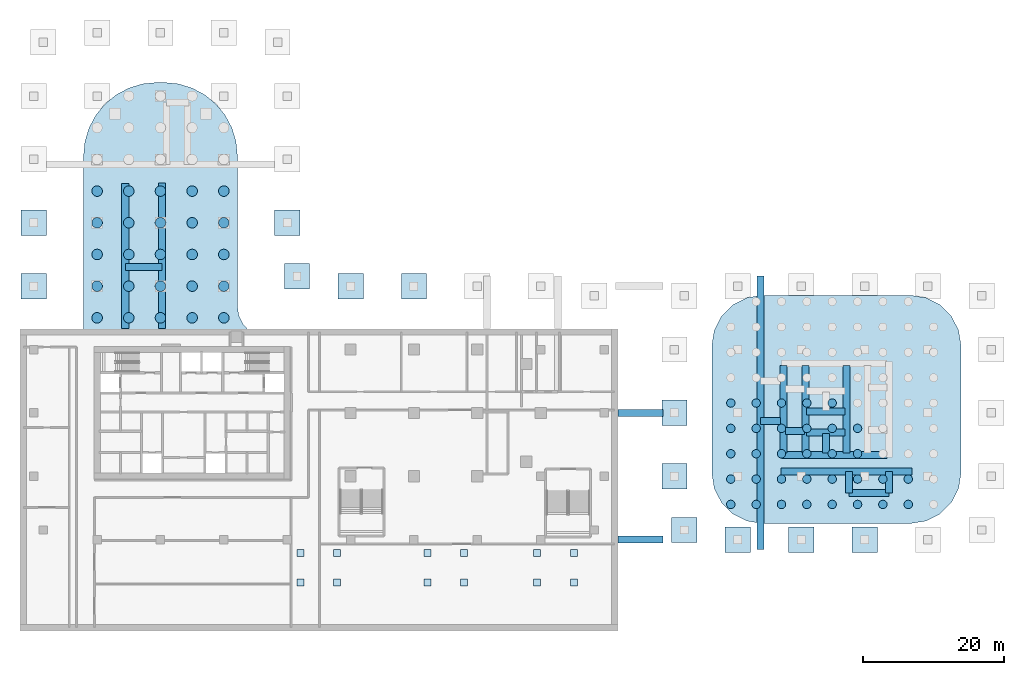
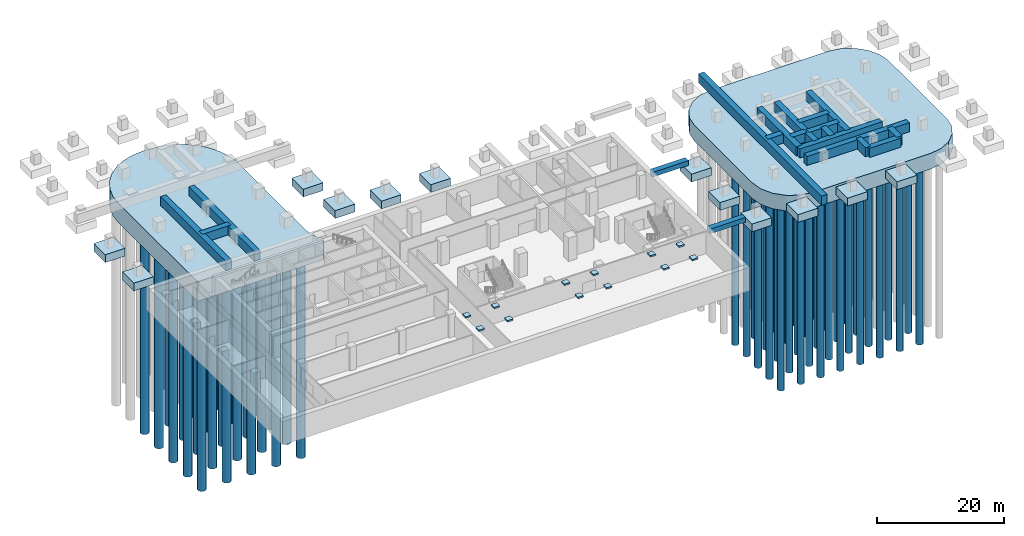
# One storey, part 1 of 14: 58 piles, 45 footings.
"""IFC4 building model written with IfcOpenShell, lengths in metres."""

from ifc_helpers import new_model, si_unit, direction, frame, origin, origin_2d, place, context, subcontext, project, spatial, polyline, circle, outline, extrude, material, material_profile, profile_set, type_object, element, save


model = new_model("IFC4")

# Units and contexts
model_context = context("Model", 3, precision=1e-05, world=origin(), true_north=direction((0.0, 1.0)))
body_context = subcontext(model_context, "Body", "Model", "MODEL_VIEW")
ifc_project = project(units=[si_unit("LENGTHUNIT", "METRE"), si_unit("AREAUNIT", "SQUARE_METRE"), si_unit("VOLUMEUNIT", "CUBIC_METRE"), si_unit("PLANEANGLEUNIT", "RADIAN"), si_unit("MASSUNIT", "GRAM", prefix="KILO")], contexts=[model_context])

# Site, building, storey
site_placement = place(None, origin())
site = spatial("IfcSite", under=ifc_project, at=site_placement, CompositionType="ELEMENT")
building_placement = place(site_placement, origin())
building = spatial("IfcBuilding", under=site, at=building_placement, Name="Ogive Portal Towers", CompositionType="ELEMENT")
storey_placement = place(building_placement, frame((0.0, 0.0, -4.5)))
storey = spatial("IfcBuildingStorey", under=building, at=storey_placement, Name="B1", CompositionType="ELEMENT", Elevation=-4.5)

# Footings
ifc_material = material(Name="Concrete C40/50", Category="concrete")
footing_type_1 = type_object("IfcFootingType", Name="CORE WALL STRIP FOOTING 1000", PredefinedType="STRIP_FOOTING", material=ifc_material)
footing_1_placement = place(storey_placement, frame((0.0, 0.0, 2.5)))
element("IfcFooting", 1, at=footing_1_placement, inside=storey, type_object=footing_type_1, Name="Core wall strip footing", PredefinedType="STRIP_FOOTING", context=body_context, shape_type="SweptSolid", body=[
    extrude(outline(polyline([(129.5, 37.199951171875), (128.5, 37.199951171875), (128.5, 35.570068359375), (128.53759765625, 35.568603515625), (128.550048828125, 35.550048828125), (128.550048828125, 34.550048828125), (128.53759765625, 34.531494140625), (128.5, 34.530029296875), (128.5, 29.8701171875), (128.53759765625, 29.868408203125), (128.550048828125, 29.85009765625), (128.550048828125, 28.85009765625), (128.53759765625, 28.83154296875), (128.5, 28.830078125), (128.5, 24.800048828125), (129.5, 24.800048828125), (129.5, 37.199951171875)])), origin(), (0.0, 0.0, 1.0), 1.75),
])
footing_2_placement = place(storey_placement, frame((0.0, 0.0, 2.5)))
element("IfcFooting", 2, at=footing_2_placement, inside=storey, type_object=footing_type_1, Name="Core wall strip footing", PredefinedType="STRIP_FOOTING", context=body_context, shape_type="SweptSolid", body=[
    extrude(outline(polyline([(143.699951171875, 24.0), (143.699951171875, 25.0), (128.699951171875, 25.0), (128.699951171875, 24.0), (143.699951171875, 24.0)])), origin(), (0.0, 0.0, 1.0), 1.75),
])
footing_3_placement = place(storey_placement, frame((0.0, 0.0, 2.5)))
element("IfcFooting", 3, at=footing_3_placement, inside=storey, type_object=footing_type_1, Name="Core wall strip footing", PredefinedType="STRIP_FOOTING", context=body_context, shape_type="SweptSolid", body=[
    extrude(outline(polyline([(132.60009765625, 37.199951171875), (131.60009765625, 37.199951171875), (131.60009765625, 24.800048828125), (132.60009765625, 24.800048828125), (132.60009765625, 37.199951171875)])), origin(), (0.0, 0.0, 1.0), 1.75),
])
footing_4_placement = place(storey_placement, frame((0.0, 0.0, 2.5)))
element("IfcFooting", 4, at=footing_4_placement, inside=storey, type_object=footing_type_1, Name="Core wall strip footing", PredefinedType="STRIP_FOOTING", context=body_context, shape_type="SweptSolid", body=[
    extrude(outline(polyline([(138.39990234375, 37.199951171875), (137.39990234375, 37.199951171875), (137.39990234375, 24.800048828125), (138.39990234375, 24.800048828125), (138.39990234375, 37.199951171875)])), origin(), (0.0, 0.0, 1.0), 1.75),
])
footing_5_placement = place(storey_placement, frame((0.0, 0.0, 2.5)))
element("IfcFooting", 5, at=footing_5_placement, inside=storey, type_object=footing_type_1, Name="Core wall strip footing", PredefinedType="STRIP_FOOTING", context=body_context, shape_type="SweptSolid", body=[
    extrude(outline(polyline([(135.5, 27.550048828125), (134.5, 27.550048828125), (134.5, 24.800048828125), (135.5, 24.800048828125), (135.5, 27.550048828125)])), origin(), (0.0, 0.0, 1.0), 1.75),
])
footing_6_placement = place(storey_placement, frame((0.0, 0.0, 2.5)))
element("IfcFooting", 6, at=footing_6_placement, inside=storey, type_object=footing_type_1, Name="Core wall strip footing", PredefinedType="STRIP_FOOTING", context=body_context, shape_type="SweptSolid", body=[
    extrude(outline(polyline([(137.75, 27.199951171875), (137.75, 28.199951171875), (132.25, 28.199951171875), (132.25, 27.199951171875), (137.75, 27.199951171875)])), origin(), (0.0, 0.0, 1.0), 1.75),
])
footing_7_placement = place(storey_placement, frame((0.0, 0.0, 2.5)))
element("IfcFooting", 7, at=footing_7_placement, inside=storey, type_object=footing_type_1, Name="Core wall strip footing", PredefinedType="STRIP_FOOTING", context=body_context, shape_type="SweptSolid", body=[
    extrude(outline(polyline([(137.75, 30.199951171875), (137.75, 31.199951171875), (132.25, 31.199951171875), (132.25, 30.199951171875), (137.75, 30.199951171875)])), origin(), (0.0, 0.0, 1.0), 1.75),
])
footing_8_placement = place(storey_placement, frame((0.0, 0.0, 2.5)))
element("IfcFooting", 8, at=footing_8_placement, inside=storey, type_object=footing_type_1, Name="Core wall strip footing", PredefinedType="STRIP_FOOTING", context=body_context, shape_type="SweptSolid", body=[
    extrude(outline(polyline([(131.949951171875, 27.39990234375), (131.949951171875, 28.39990234375), (129.300048828125, 28.39990234375), (129.300048828125, 27.39990234375), (131.949951171875, 27.39990234375)])), origin(), (0.0, 0.0, 1.0), 1.75),
])
footing_type_2 = type_object("IfcFootingType", Name="PAD 3600x3600x1500", PredefinedType="PAD_FOOTING", material=ifc_material)
footing_9_placement = place(storey_placement, frame((0.0, 0.0, 1.0)))
element("IfcFooting", 9, at=footing_9_placement, inside=storey, type_object=footing_type_2, Name="Pad footing", PredefinedType="PAD_FOOTING", context=body_context, shape_type="SweptSolid", body=[
    extrude(outline(polyline([(24.300048828125, 46.699951171875), (24.300048828125, 50.300048828125), (20.699951171875, 50.300048828125), (20.699951171875, 46.699951171875), (24.300048828125, 46.699951171875)])), origin(), (0.0, 0.0, 1.0), 1.5),
])
footing_10_placement = place(storey_placement, frame((0.0, 0.0, 1.0)))
element("IfcFooting", 10, at=footing_10_placement, inside=storey, type_object=footing_type_2, Name="Pad footing", PredefinedType="PAD_FOOTING", context=body_context, shape_type="SweptSolid", body=[
    extrude(outline(polyline([(24.300048828125, 55.699951171875), (24.300048828125, 59.300048828125), (20.699951171875, 59.300048828125), (20.699951171875, 55.699951171875), (24.300048828125, 55.699951171875)])), origin(), (0.0, 0.0, 1.0), 1.5),
])
footing_11_placement = place(storey_placement, frame((0.0, 0.0, 1.0)))
element("IfcFooting", 11, at=footing_11_placement, inside=storey, type_object=footing_type_2, Name="Pad footing", PredefinedType="PAD_FOOTING", context=body_context, shape_type="SweptSolid", body=[
    extrude(outline(polyline([(60.300048828125, 55.699951171875), (60.300048828125, 59.300048828125), (56.699951171875, 59.300048828125), (56.699951171875, 55.699951171875), (60.300048828125, 55.699951171875)])), origin(), (0.0, 0.0, 1.0), 1.5),
])
footing_12_placement = place(storey_placement, frame((0.0, 0.0, 1.0)))
element("IfcFooting", 12, at=footing_12_placement, inside=storey, type_object=footing_type_2, Name="Pad footing", PredefinedType="PAD_FOOTING", context=body_context, shape_type="SweptSolid", body=[
    extrude(outline(polyline([(61.68994140625, 48.090087890625), (61.68994140625, 51.68994140625), (58.090087890625, 51.68994140625), (58.090087890625, 48.090087890625), (61.68994140625, 48.090087890625)])), origin(), (0.0, 0.0, 1.0), 1.5),
])
footing_13_placement = place(storey_placement, frame((0.0, 0.0, 1.0)))
element("IfcFooting", 13, at=footing_13_placement, inside=storey, type_object=footing_type_2, Name="Pad footing", PredefinedType="PAD_FOOTING", context=body_context, shape_type="SweptSolid", body=[
    extrude(outline(polyline([(69.300048828125, 46.699951171875), (69.300048828125, 50.300048828125), (65.699951171875, 50.300048828125), (65.699951171875, 46.699951171875), (69.300048828125, 46.699951171875)])), origin(), (0.0, 0.0, 1.0), 1.5),
])
footing_14_placement = place(storey_placement, frame((0.0, 0.0, 1.0)))
element("IfcFooting", 14, at=footing_14_placement, inside=storey, type_object=footing_type_2, Name="Pad footing", PredefinedType="PAD_FOOTING", context=body_context, shape_type="SweptSolid", body=[
    extrude(outline(polyline([(78.300048828125, 46.699951171875), (78.300048828125, 50.300048828125), (74.699951171875, 50.300048828125), (74.699951171875, 46.699951171875), (78.300048828125, 46.699951171875)])), origin(), (0.0, 0.0, 1.0), 1.5),
])
footing_15_placement = place(storey_placement, frame((0.0, 0.0, 1.0)))
element("IfcFooting", 15, at=footing_15_placement, inside=storey, type_object=footing_type_2, Name="Pad footing", PredefinedType="PAD_FOOTING", context=body_context, shape_type="SweptSolid", body=[
    extrude(outline(polyline([(115.300048828125, 19.699951171875), (115.300048828125, 23.300048828125), (111.699951171875, 23.300048828125), (111.699951171875, 19.699951171875), (115.300048828125, 19.699951171875)])), origin(), (0.0, 0.0, 1.0), 1.5),
])
footing_16_placement = place(storey_placement, frame((0.0, 0.0, 1.0)))
element("IfcFooting", 16, at=footing_16_placement, inside=storey, type_object=footing_type_2, Name="Pad footing", PredefinedType="PAD_FOOTING", context=body_context, shape_type="SweptSolid", body=[
    extrude(outline(polyline([(115.300048828125, 28.699951171875), (115.300048828125, 32.300048828125), (111.699951171875, 32.300048828125), (111.699951171875, 28.699951171875), (115.300048828125, 28.699951171875)])), origin(), (0.0, 0.0, 1.0), 1.5),
])
footing_17_placement = place(storey_placement, frame((0.0, 0.0, 1.0)))
element("IfcFooting", 17, at=footing_17_placement, inside=storey, type_object=footing_type_2, Name="Pad footing", PredefinedType="PAD_FOOTING", context=body_context, shape_type="SweptSolid", body=[
    extrude(outline(polyline([(116.669921875, 12.070068359375), (116.669921875, 15.669921875), (113.070068359375, 15.669921875), (113.070068359375, 12.070068359375), (116.669921875, 12.070068359375)])), origin(), (0.0, 0.0, 1.0), 1.5),
])
footing_18_placement = place(storey_placement, frame((0.0, 0.0, 1.0)))
element("IfcFooting", 18, at=footing_18_placement, inside=storey, type_object=footing_type_2, Name="Pad footing", PredefinedType="PAD_FOOTING", context=body_context, shape_type="SweptSolid", body=[
    extrude(outline(polyline([(124.300048828125, 10.699951171875), (124.300048828125, 14.300048828125), (120.699951171875, 14.300048828125), (120.699951171875, 10.699951171875), (124.300048828125, 10.699951171875)])), origin(), (0.0, 0.0, 1.0), 1.5),
])
footing_19_placement = place(storey_placement, frame((0.0, 0.0, 1.0)))
element("IfcFooting", 19, at=footing_19_placement, inside=storey, type_object=footing_type_2, Name="Pad footing", PredefinedType="PAD_FOOTING", context=body_context, shape_type="SweptSolid", body=[
    extrude(outline(polyline([(133.300048828125, 10.699951171875), (133.300048828125, 14.300048828125), (129.699951171875, 14.300048828125), (129.699951171875, 10.699951171875), (133.300048828125, 10.699951171875)])), origin(), (0.0, 0.0, 1.0), 1.5),
])
footing_20_placement = place(storey_placement, frame((0.0, 0.0, 1.0)))
element("IfcFooting", 20, at=footing_20_placement, inside=storey, type_object=footing_type_2, Name="Pad footing", PredefinedType="PAD_FOOTING", context=body_context, shape_type="SweptSolid", body=[
    extrude(outline(polyline([(142.300048828125, 10.699951171875), (142.300048828125, 14.300048828125), (138.699951171875, 14.300048828125), (138.699951171875, 10.699951171875), (142.300048828125, 10.699951171875)])), origin(), (0.0, 0.0, 1.0), 1.5),
])

# Piles
ifc_material_profile_1 = material_profile(ifc_material, circle(Radius=0.60009765625, at=origin_2d()), Name="PILE D1200")
ifc_profile_set_1 = profile_set([ifc_material_profile_1], Name="Concrete C40/50")
pile_type_1 = type_object("IfcPileType", Name="PILE D1200", PredefinedType="BORED", material=ifc_profile_set_1)
for number, where, z_axis, x_axis, name in (
    (21, (121.5, 17.5, -0.39990234375), (0.0, 0.0, -1.0), (1.0, 0.0, 0.0), "Bored pile B001"),
    (22, (125.10009765625, 17.5, -0.39990234375), (0.0, 0.0, -1.0), (1.0, 0.0, 0.0), "Bored pile B002"),
    (23, (128.699951171875, 17.5, -0.39990234375), (0.0, 0.0, -1.0), (1.0, 0.0, 0.0), "Bored pile B003"),
    (24, (132.300048828125, 17.5, -0.39990234375), (0.0, 0.0, -1.0), (1.0, 0.0, 0.0), "Bored pile B004"),
    (25, (135.89990234375, 17.5, -0.39990234375), (0.0, 0.0, -1.0), (1.0, 0.0, 0.0), "Bored pile B005"),
    (26, (139.5, 17.5, -0.39990234375), (0.0, 0.0, -1.0), (1.0, 0.0, 0.0), "Bored pile B006"),
    (27, (143.10009765625, 17.5, -0.39990234375), (0.0, 0.0, -1.0), (1.0, 0.0, 0.0), "Bored pile B007"),
    (28, (146.699951171875, 17.5, -0.39990234375), (0.0, 0.0, -1.0), (1.0, 0.0, 0.0), "Bored pile B008"),
    (29, (121.5, 21.10009765625, -0.39990234375), (0.0, 0.0, -1.0), (1.0, 0.0, 0.0), "Bored pile B010"),
    (30, (125.10009765625, 21.10009765625, -0.39990234375), (0.0, 0.0, -1.0), (1.0, 0.0, 0.0), "Bored pile B011"),
    (31, (128.699951171875, 21.10009765625, -0.39990234375), (0.0, 0.0, -1.0), (1.0, 0.0, 0.0), "Bored pile B012"),
    (32, (132.300048828125, 21.10009765625, -0.39990234375), (0.0, 0.0, -1.0), (1.0, 0.0, 0.0), "Bored pile B013"),
    (33, (135.89990234375, 21.10009765625, -0.39990234375), (0.0, 0.0, -1.0), (1.0, 0.0, 0.0), "Bored pile B014"),
    (34, (139.5, 21.10009765625, -0.39990234375), (0.0, 0.0, -1.0), (1.0, 0.0, 0.0), "Bored pile B015"),
    (35, (143.10009765625, 21.10009765625, -0.39990234375), (0.0, 0.0, -1.0), (1.0, 0.0, 0.0), "Bored pile B016"),
    (36, (146.699951171875, 21.10009765625, -0.39990234375), (0.0, 0.0, -1.0), (1.0, 0.0, 0.0), "Bored pile B017"),
    (37, (121.5, 24.699951171875, -0.39990234375), (0.0, 0.0, -1.0), (1.0, 0.0, 0.0), "Bored pile B019"),
    (38, (125.10009765625, 24.699951171875, -0.39990234375), (0.0, 0.0, -1.0), (1.0, 0.0, 0.0), "Bored pile B020"),
    (39, (128.699951171875, 24.699951171875, -0.39990234375), (0.0, 0.0, -1.0), (1.0, 0.0, 0.0), "Bored pile B021"),
    (40, (132.300048828125, 24.699951171875, -0.39990234375), (0.0, 0.0, -1.0), (1.0, 0.0, 0.0), "Bored pile B022"),
    (41, (135.89990234375, 24.699951171875, -0.39990234375), (0.0, 0.0, -1.0), (1.0, 0.0, 0.0), "Bored pile B023"),
    (42, (139.5, 24.699951171875, -0.39990234375), (0.0, 0.0, -1.0), (1.0, 0.0, 0.0), "Bored pile B024"),
    (43, (121.5, 28.300048828125, -0.39990234375), (0.0, 0.0, -1.0), (1.0, 0.0, 0.0), "Bored pile B028"),
    (44, (125.10009765625, 28.300048828125, -0.39990234375), (0.0, 0.0, -1.0), (1.0, 0.0, 0.0), "Bored pile B029"),
    (45, (128.699951171875, 28.300048828125, -0.39990234375), (0.0, 0.0, -1.0), (1.0, 0.0, 0.0), "Bored pile B030"),
    (46, (132.300048828125, 28.300048828125, -0.39990234375), (0.0, 0.0, -1.0), (1.0, 0.0, 0.0), "Bored pile B031"),
    (47, (135.89990234375, 28.300048828125, -0.39990234375), (0.0, 0.0, -1.0), (1.0, 0.0, 0.0), "Bored pile B032"),
    (48, (139.5, 28.300048828125, -0.39990234375), (0.0, 0.0, -1.0), (1.0, 0.0, 0.0), "Bored pile B033"),
    (49, (121.5, 31.89990234375, -0.39990234375), (0.0, 0.0, -1.0), (1.0, 0.0, 0.0), "Bored pile B037"),
    (50, (125.10009765625, 31.89990234375, -0.39990234375), (0.0, 0.0, -1.0), (1.0, 0.0, 0.0), "Bored pile B038"),
    (51, (128.699951171875, 31.89990234375, -0.39990234375), (0.0, 0.0, -1.0), (1.0, 0.0, 0.0), "Bored pile B039"),
    (52, (132.300048828125, 31.89990234375, -0.39990234375), (0.0, 0.0, -1.0), (1.0, 0.0, 0.0), "Bored pile B040"),
    (53, (135.89990234375, 31.89990234375, -0.39990234375), (0.0, 0.0, -1.0), (1.0, 0.0, 0.0), "Bored pile B041"),
):
    element("IfcPile", number, at=place(storey_placement, frame(where, z_axis=z_axis, x_axis=x_axis)), inside=storey, type_object=pile_type_1, Name=name, PredefinedType="BORED", context=body_context, shape_type="SweptSolid", body=[
        extrude(circle(Radius=0.60009765625, at=origin_2d()), origin(), (0.0, 0.0, 1.0), 35.0),
    ])
ifc_material_profile_2 = material_profile(ifc_material, circle(Radius=0.75, at=origin_2d()), Name="PILE D1500")
ifc_profile_set_2 = profile_set([ifc_material_profile_2], Name="Concrete C40/50")
pile_type_2 = type_object("IfcPileType", Name="PILE D1500", PredefinedType="BORED", material=ifc_profile_set_2)
for number, where, z_axis, x_axis, name in (
    (54, (31.5, 44.0, -1.14990234375), (0.0, 0.0, -1.0), (1.0, 0.0, 0.0), "Bored pile A2001"),
    (55, (36.0, 44.0, -1.14990234375), (0.0, 0.0, -1.0), (1.0, 0.0, 0.0), "Bored pile A2002"),
    (56, (40.5, 44.0, -1.14990234375), (0.0, 0.0, -1.0), (1.0, 0.0, 0.0), "Bored pile A2003"),
    (57, (45.0, 44.0, -1.14990234375), (0.0, 0.0, -1.0), (1.0, 0.0, 0.0), "Bored pile A2004"),
    (58, (49.5, 44.0, -1.14990234375), (0.0, 0.0, -1.0), (1.0, 0.0, 0.0), "Bored pile A2005"),
    (59, (31.5, 48.5, -1.14990234375), (0.0, 0.0, -1.0), (1.0, 0.0, 0.0), "Bored pile A2006"),
    (60, (36.0, 48.5, -1.14990234375), (0.0, 0.0, -1.0), (1.0, 0.0, 0.0), "Bored pile A2007"),
    (61, (40.5, 48.5, -1.14990234375), (0.0, 0.0, -1.0), (1.0, 0.0, 0.0), "Bored pile A2008"),
    (62, (45.0, 48.5, -1.14990234375), (0.0, 0.0, -1.0), (1.0, 0.0, 0.0), "Bored pile A2009"),
    (63, (49.5, 48.5, -1.14990234375), (0.0, 0.0, -1.0), (1.0, 0.0, 0.0), "Bored pile A2010"),
    (64, (31.5, 53.0, -1.14990234375), (0.0, 0.0, -1.0), (1.0, 0.0, 0.0), "Bored pile A2011"),
    (65, (36.0, 53.0, -1.14990234375), (0.0, 0.0, -1.0), (1.0, 0.0, 0.0), "Bored pile A2012"),
    (66, (40.5, 53.0, -1.14990234375), (0.0, 0.0, -1.0), (1.0, 0.0, 0.0), "Bored pile A2013"),
    (67, (45.0, 53.0, -1.14990234375), (0.0, 0.0, -1.0), (1.0, 0.0, 0.0), "Bored pile A2014"),
    (68, (49.5, 53.0, -1.14990234375), (0.0, 0.0, -1.0), (1.0, 0.0, 0.0), "Bored pile A2015"),
    (69, (31.5, 57.5, -1.14990234375), (0.0, 0.0, -1.0), (1.0, 0.0, 0.0), "Bored pile A2016"),
    (70, (36.0, 57.5, -1.14990234375), (0.0, 0.0, -1.0), (1.0, 0.0, 0.0), "Bored pile A2017"),
    (71, (40.5, 57.5, -1.14990234375), (0.0, 0.0, -1.0), (1.0, 0.0, 0.0), "Bored pile A2018"),
    (72, (45.0, 57.5, -1.14990234375), (0.0, 0.0, -1.0), (1.0, 0.0, 0.0), "Bored pile A2019"),
    (73, (49.5, 57.5, -1.14990234375), (0.0, 0.0, -1.0), (1.0, 0.0, 0.0), "Bored pile A2020"),
    (74, (31.5, 62.0, -1.14990234375), (0.0, 0.0, -1.0), (1.0, 0.0, 0.0), "Bored pile A2021"),
    (75, (36.0, 62.0, -1.14990234375), (0.0, 0.0, -1.0), (1.0, 0.0, 0.0), "Bored pile A2022"),
    (76, (40.5, 62.0, -1.14990234375), (0.0, 0.0, -1.0), (1.0, 0.0, 0.0), "Bored pile A2023"),
    (77, (45.0, 62.0, -1.14990234375), (0.0, 0.0, -1.0), (1.0, 0.0, 0.0), "Bored pile A2024"),
    (78, (49.5, 62.0, -1.14990234375), (0.0, 0.0, -1.0), (1.0, 0.0, 0.0), "Bored pile A2025"),
):
    element("IfcPile", number, at=place(storey_placement, frame(where, z_axis=z_axis, x_axis=x_axis)), inside=storey, type_object=pile_type_2, Name=name, PredefinedType="BORED", context=body_context, shape_type="SweptSolid", body=[
        extrude(circle(Radius=0.75, at=origin_2d()), origin(), (0.0, 0.0, 1.0), 38.0),
    ])

# Footings
footing_type_3 = type_object("IfcFootingType", Name="PILED RAFT 3000", PredefinedType="PILE_CAP", material=ifc_material)
footing_21_placement = place(storey_placement, frame((0.0, 0.0, -0.5)))
element("IfcFooting", 79, at=footing_21_placement, inside=storey, type_object=footing_type_3, Name="Tower B piled raft", PredefinedType="PILE_CAP", context=body_context, shape_type="SweptSolid", body=[
    extrude(outline(polyline([(118.820068359375, 21.842529296875), (119.147705078125, 19.773681640625), (120.171142578125, 17.764892578125), (121.764892578125, 16.171142578125), (123.773681640625, 15.147705078125), (125.842529296875, 14.820068359375), (147.157470703125, 14.820068359375), (149.226318359375, 15.147705078125), (151.235107421875, 16.171142578125), (152.828857421875, 17.764892578125), (153.852294921875, 19.773681640625), (154.179931640625, 21.842529296875), (154.179931640625, 40.157470703125), (153.852294921875, 42.226318359375), (152.828857421875, 44.235107421875), (151.235107421875, 45.828857421875), (149.226318359375, 46.852294921875), (147.157470703125, 47.179931640625), (125.842529296875, 47.179931640625), (123.773681640625, 46.852294921875), (121.764892578125, 45.828857421875), (120.171142578125, 44.235107421875), (119.147705078125, 42.226318359375), (118.820068359375, 40.157470703125), (118.820068359375, 21.842529296875)])), origin(), (0.0, 0.0, 1.0), 3.0),
])
footing_type_4 = type_object("IfcFootingType", Name="PILED RAFT 3750", PredefinedType="PILE_CAP", material=ifc_material)
footing_22_placement = place(storey_placement, frame((0.0, 0.0, -1.25)))
element("IfcFooting", 80, at=footing_22_placement, inside=storey, type_object=footing_type_4, Name="Tower A piled raft (wing S)", PredefinedType="PILE_CAP", context=body_context, shape_type="SweptSolid", body=[
    extrude(outline(polyline([(29.764404296875, 68.99609375), (29.574951171875, 67.053955078125), (29.5751953125, 42.39990234375), (29.592529296875, 42.283935546875), (29.62255859375, 42.21142578125), (29.666015625, 42.146240234375), (29.721435546875, 42.0908203125), (29.78662109375, 42.047119140625), (29.897216796875, 42.0078125), (29.97509765625, 42.0), (52.368408203125, 42.0), (52.446533203125, 42.0078125), (52.521484375, 42.030517578125), (52.622314453125, 42.0908203125), (52.701171875, 42.177734375), (52.751220703125, 42.283935546875), (52.7685546875, 42.39990234375), (52.751220703125, 42.51611328125), (52.72119140625, 42.588623046875), (52.677734375, 42.65380859375), (52.21875, 43.1162109375), (51.642822265625, 44.24658203125), (51.42529296875, 45.6181640625), (51.425048828125, 67.053955078125), (51.235595703125, 68.99609375), (51.220458984375, 69.072998046875), (50.649658203125, 70.95458984375), (50.61962890625, 71.027099609375), (49.672607421875, 72.794921875), (48.401611328125, 74.34619140625), (48.34619140625, 74.401611328125), (46.826416015625, 75.649169921875), (46.760986328125, 75.692626953125), (44.991455078125, 76.636474609375), (43.072998046875, 77.220458984375), (42.99609375, 77.235595703125), (41.09326171875, 77.423095703125), (39.946044921875, 77.425048828125), (38.00390625, 77.235595703125), (37.927001953125, 77.220458984375), (36.008544921875, 76.636474609375), (34.239013671875, 75.692626953125), (34.173583984375, 75.649169921875), (32.62451171875, 74.37548828125), (31.327392578125, 72.794921875), (30.38037109375, 71.027099609375), (30.350341796875, 70.95458984375), (29.779541015625, 69.072998046875), (29.764404296875, 68.99609375)])), origin(), (0.0, 0.0, 1.0), 3.75),
])
footing_type_5 = type_object("IfcFootingType", Name="PORCH PAD 1000x1000x280", PredefinedType="PAD_FOOTING", material=ifc_material)
footing_23_placement = place(storey_placement, frame((0.0, 0.0, 4.199951171875)))
element("IfcFooting", 81, at=footing_23_placement, inside=storey, type_object=footing_type_5, Name="Porch pad footing 1", PredefinedType="PAD_FOOTING", context=body_context, shape_type="SweptSolid", body=[
    extrude(outline(polyline([(59.89990234375, 5.89990234375), (60.89990234375, 5.89990234375), (60.89990234375, 6.89990234375), (59.89990234375, 6.89990234375), (59.89990234375, 5.89990234375)])), origin(), (0.0, 0.0, 1.0), 0.280029296875),
])
footing_24_placement = place(storey_placement, frame((0.0, 0.0, 4.199951171875)))
element("IfcFooting", 82, at=footing_24_placement, inside=storey, type_object=footing_type_5, Name="Porch pad footing 2", PredefinedType="PAD_FOOTING", context=body_context, shape_type="SweptSolid", body=[
    extrude(outline(polyline([(65.10009765625, 5.89990234375), (66.10009765625, 5.89990234375), (66.10009765625, 6.89990234375), (65.10009765625, 6.89990234375), (65.10009765625, 5.89990234375)])), origin(), (0.0, 0.0, 1.0), 0.280029296875),
])
footing_25_placement = place(storey_placement, frame((0.0, 0.0, 4.199951171875)))
element("IfcFooting", 83, at=footing_25_placement, inside=storey, type_object=footing_type_5, Name="Porch pad footing 3", PredefinedType="PAD_FOOTING", context=body_context, shape_type="SweptSolid", body=[
    extrude(outline(polyline([(59.89990234375, 10.10009765625), (60.89990234375, 10.10009765625), (60.89990234375, 11.10009765625), (59.89990234375, 11.10009765625), (59.89990234375, 10.10009765625)])), origin(), (0.0, 0.0, 1.0), 0.280029296875),
])
footing_26_placement = place(storey_placement, frame((0.0, 0.0, 4.199951171875)))
element("IfcFooting", 84, at=footing_26_placement, inside=storey, type_object=footing_type_5, Name="Porch pad footing 4", PredefinedType="PAD_FOOTING", context=body_context, shape_type="SweptSolid", body=[
    extrude(outline(polyline([(65.10009765625, 10.10009765625), (66.10009765625, 10.10009765625), (66.10009765625, 11.10009765625), (65.10009765625, 11.10009765625), (65.10009765625, 10.10009765625)])), origin(), (0.0, 0.0, 1.0), 0.280029296875),
])
footing_27_placement = place(storey_placement, frame((0.0, 0.0, 4.199951171875)))
element("IfcFooting", 85, at=footing_27_placement, inside=storey, type_object=footing_type_5, Name="Porch pad footing 5", PredefinedType="PAD_FOOTING", context=body_context, shape_type="SweptSolid", body=[
    extrude(outline(polyline([(77.89990234375, 5.89990234375), (78.89990234375, 5.89990234375), (78.89990234375, 6.89990234375), (77.89990234375, 6.89990234375), (77.89990234375, 5.89990234375)])), origin(), (0.0, 0.0, 1.0), 0.280029296875),
])
footing_28_placement = place(storey_placement, frame((0.0, 0.0, 4.199951171875)))
element("IfcFooting", 86, at=footing_28_placement, inside=storey, type_object=footing_type_5, Name="Porch pad footing 6", PredefinedType="PAD_FOOTING", context=body_context, shape_type="SweptSolid", body=[
    extrude(outline(polyline([(83.10009765625, 5.89990234375), (84.10009765625, 5.89990234375), (84.10009765625, 6.89990234375), (83.10009765625, 6.89990234375), (83.10009765625, 5.89990234375)])), origin(), (0.0, 0.0, 1.0), 0.280029296875),
])
footing_29_placement = place(storey_placement, frame((0.0, 0.0, 4.199951171875)))
element("IfcFooting", 87, at=footing_29_placement, inside=storey, type_object=footing_type_5, Name="Porch pad footing 7", PredefinedType="PAD_FOOTING", context=body_context, shape_type="SweptSolid", body=[
    extrude(outline(polyline([(77.89990234375, 10.10009765625), (78.89990234375, 10.10009765625), (78.89990234375, 11.10009765625), (77.89990234375, 11.10009765625), (77.89990234375, 10.10009765625)])), origin(), (0.0, 0.0, 1.0), 0.280029296875),
])
footing_30_placement = place(storey_placement, frame((0.0, 0.0, 4.199951171875)))
element("IfcFooting", 88, at=footing_30_placement, inside=storey, type_object=footing_type_5, Name="Porch pad footing 8", PredefinedType="PAD_FOOTING", context=body_context, shape_type="SweptSolid", body=[
    extrude(outline(polyline([(83.10009765625, 10.10009765625), (84.10009765625, 10.10009765625), (84.10009765625, 11.10009765625), (83.10009765625, 11.10009765625), (83.10009765625, 10.10009765625)])), origin(), (0.0, 0.0, 1.0), 0.280029296875),
])
footing_31_placement = place(storey_placement, frame((0.0, 0.0, 4.199951171875)))
element("IfcFooting", 89, at=footing_31_placement, inside=storey, type_object=footing_type_5, Name="Porch pad footing 9", PredefinedType="PAD_FOOTING", context=body_context, shape_type="SweptSolid", body=[
    extrude(outline(polyline([(93.5, 5.89990234375), (94.5, 5.89990234375), (94.5, 6.89990234375), (93.5, 6.89990234375), (93.5, 5.89990234375)])), origin(), (0.0, 0.0, 1.0), 0.280029296875),
])
footing_32_placement = place(storey_placement, frame((0.0, 0.0, 4.199951171875)))
element("IfcFooting", 90, at=footing_32_placement, inside=storey, type_object=footing_type_5, Name="Porch pad footing 10", PredefinedType="PAD_FOOTING", context=body_context, shape_type="SweptSolid", body=[
    extrude(outline(polyline([(98.699951171875, 5.89990234375), (99.699951171875, 5.89990234375), (99.699951171875, 6.89990234375), (98.699951171875, 6.89990234375), (98.699951171875, 5.89990234375)])), origin(), (0.0, 0.0, 1.0), 0.280029296875),
])
footing_33_placement = place(storey_placement, frame((0.0, 0.0, 4.199951171875)))
element("IfcFooting", 91, at=footing_33_placement, inside=storey, type_object=footing_type_5, Name="Porch pad footing 11", PredefinedType="PAD_FOOTING", context=body_context, shape_type="SweptSolid", body=[
    extrude(outline(polyline([(93.5, 10.10009765625), (94.5, 10.10009765625), (94.5, 11.10009765625), (93.5, 11.10009765625), (93.5, 10.10009765625)])), origin(), (0.0, 0.0, 1.0), 0.280029296875),
])
footing_34_placement = place(storey_placement, frame((0.0, 0.0, 4.199951171875)))
element("IfcFooting", 92, at=footing_34_placement, inside=storey, type_object=footing_type_5, Name="Porch pad footing 12", PredefinedType="PAD_FOOTING", context=body_context, shape_type="SweptSolid", body=[
    extrude(outline(polyline([(98.699951171875, 10.10009765625), (99.699951171875, 10.10009765625), (99.699951171875, 11.10009765625), (98.699951171875, 11.10009765625), (98.699951171875, 10.10009765625)])), origin(), (0.0, 0.0, 1.0), 0.280029296875),
])
footing_type_6 = type_object("IfcFootingType", Name="STAIR WALL STRIP FOOTING", PredefinedType="STRIP_FOOTING", material=ifc_material)
footing_35_placement = place(storey_placement, frame((0.0, 0.0, 2.5)))
element("IfcFooting", 93, at=footing_35_placement, inside=storey, type_object=footing_type_6, Name="Stair wall strip footing ST-B2", PredefinedType="STRIP_FOOTING", context=body_context, shape_type="SweptSolid", body=[
    extrude(outline(polyline([(144.0, 18.64990234375), (144.0, 19.64990234375), (138.300048828125, 19.64990234375), (138.300048828125, 18.64990234375), (144.0, 18.64990234375)])), origin(), (0.0, 0.0, 1.0), 1.75),
])
footing_36_placement = place(storey_placement, frame((0.0, 0.0, 2.5)))
element("IfcFooting", 94, at=footing_36_placement, inside=storey, type_object=footing_type_6, Name="Stair wall strip footing ST-B2", PredefinedType="STRIP_FOOTING", context=body_context, shape_type="SweptSolid", body=[
    extrude(outline(polyline([(147.25, 21.64990234375), (147.25, 22.64990234375), (128.64990234375, 22.64990234375), (128.64990234375, 21.64990234375), (147.25, 21.64990234375)])), origin(), (0.0, 0.0, 1.0), 1.75),
])
footing_37_placement = place(storey_placement, frame((0.0, 0.0, 2.5)))
element("IfcFooting", 95, at=footing_37_placement, inside=storey, type_object=footing_type_6, Name="Stair wall strip footing ST-B1", PredefinedType="STRIP_FOOTING", context=body_context, shape_type="SweptSolid", body=[
    extrude(outline(polyline([(128.530029296875, 28.85009765625), (128.530029296875, 29.85009765625), (125.699951171875, 29.85009765625), (125.699951171875, 28.85009765625), (128.530029296875, 28.85009765625)])), origin(), (0.0, 0.0, 1.0), 1.75),
])
footing_38_placement = place(storey_placement, frame((0.0, 0.0, 2.5)))
element("IfcFooting", 96, at=footing_38_placement, inside=storey, type_object=footing_type_6, Name="Stair wall strip footing ST-P2", PredefinedType="STRIP_FOOTING", context=body_context, shape_type="SweptSolid", body=[
    extrude(outline(polyline([(40.699951171875, 50.75), (40.699951171875, 51.75), (35.5, 51.75), (35.5, 50.75), (40.699951171875, 50.75)])), origin(), (0.0, 0.0, 1.0), 1.75),
])
footing_39_placement = place(storey_placement, frame((0.0, 0.0, 2.5)))
element("IfcFooting", 97, at=footing_39_placement, inside=storey, type_object=footing_type_6, Name="Stair wall strip footing ST-B1", PredefinedType="STRIP_FOOTING", context=body_context, shape_type="SweptSolid", body=[
    extrude(outline(polyline([(126.199951171875, 49.929931640625), (125.199951171875, 49.929931640625), (125.199951171875, 11.070068359375), (126.199951171875, 11.070068359375), (126.199951171875, 49.929931640625)])), origin(), (0.0, 0.0, 1.0), 1.75),
])
footing_40_placement = place(storey_placement, frame((0.0, 0.0, 2.5)))
element("IfcFooting", 98, at=footing_40_placement, inside=storey, type_object=footing_type_6, Name="Stair wall strip footing ST-B2", PredefinedType="STRIP_FOOTING", context=body_context, shape_type="SweptSolid", body=[
    extrude(outline(polyline([(138.800048828125, 22.14990234375), (137.800048828125, 22.14990234375), (137.800048828125, 19.14990234375), (138.800048828125, 19.14990234375), (138.800048828125, 22.14990234375)])), origin(), (0.0, 0.0, 1.0), 1.75),
])
footing_41_placement = place(storey_placement, frame((0.0, 0.0, 2.5)))
element("IfcFooting", 99, at=footing_41_placement, inside=storey, type_object=footing_type_6, Name="Stair wall strip footing ST-B2", PredefinedType="STRIP_FOOTING", context=body_context, shape_type="SweptSolid", body=[
    extrude(outline(polyline([(144.5, 22.14990234375), (143.5, 22.14990234375), (143.5, 19.14990234375), (144.5, 19.14990234375), (144.5, 22.14990234375)])), origin(), (0.0, 0.0, 1.0), 1.75),
])
footing_42_placement = place(storey_placement, frame((0.0, 0.0, 2.5)))
element("IfcFooting", 100, at=footing_42_placement, inside=storey, type_object=footing_type_6, Name="Stair wall strip footing ST-P2", PredefinedType="STRIP_FOOTING", context=body_context, shape_type="SweptSolid", body=[
    extrude(outline(polyline([(36.0, 63.050048828125), (35.0, 63.050048828125), (35.0, 42.469970703125), (36.0, 42.469970703125), (36.0, 63.050048828125)])), origin(), (0.0, 0.0, 1.0), 1.75),
])
footing_43_placement = place(storey_placement, frame((0.0, 0.0, 2.5)))
element("IfcFooting", 101, at=footing_43_placement, inside=storey, type_object=footing_type_6, Name="Stair wall strip footing ST-P2", PredefinedType="STRIP_FOOTING", context=body_context, shape_type="SweptSolid", body=[
    extrude(outline(polyline([(41.199951171875, 63.14990234375), (40.199951171875, 63.14990234375), (40.199951171875, 42.469970703125), (41.199951171875, 42.469970703125), (41.199951171875, 63.14990234375)])), origin(), (0.0, 0.0, 1.0), 1.75),
])
footing_type_7 = type_object("IfcFootingType", Name="STRIP FOOTING 1000X900", PredefinedType="STRIP_FOOTING", material=ifc_material)
footing_44_placement = place(storey_placement, frame((0.0, 0.0, 3.35009765625)))
element("IfcFooting", 102, at=footing_44_placement, inside=storey, type_object=footing_type_7, Name="Street slab strip footing", PredefinedType="STRIP_FOOTING", context=body_context, shape_type="SweptSolid", body=[
    extrude(outline(polyline([(111.89990234375, 13.0), (105.469970703125, 13.0), (105.469970703125, 12.0), (111.89990234375, 12.0), (111.89990234375, 13.0)])), origin(), (0.0, 0.0, 1.0), 0.89990234375),
])
footing_45_placement = place(storey_placement, frame((0.0, 0.0, 3.35009765625)))
element("IfcFooting", 103, at=footing_45_placement, inside=storey, type_object=footing_type_7, Name="Street slab strip footing", PredefinedType="STRIP_FOOTING", context=body_context, shape_type="SweptSolid", body=[
    extrude(outline(polyline([(111.89990234375, 31.0), (105.469970703125, 31.0), (105.469970703125, 30.0), (111.89990234375, 30.0), (111.89990234375, 31.0)])), origin(), (0.0, 0.0, 1.0), 0.89990234375),
])

save(model, "model.ifc")
